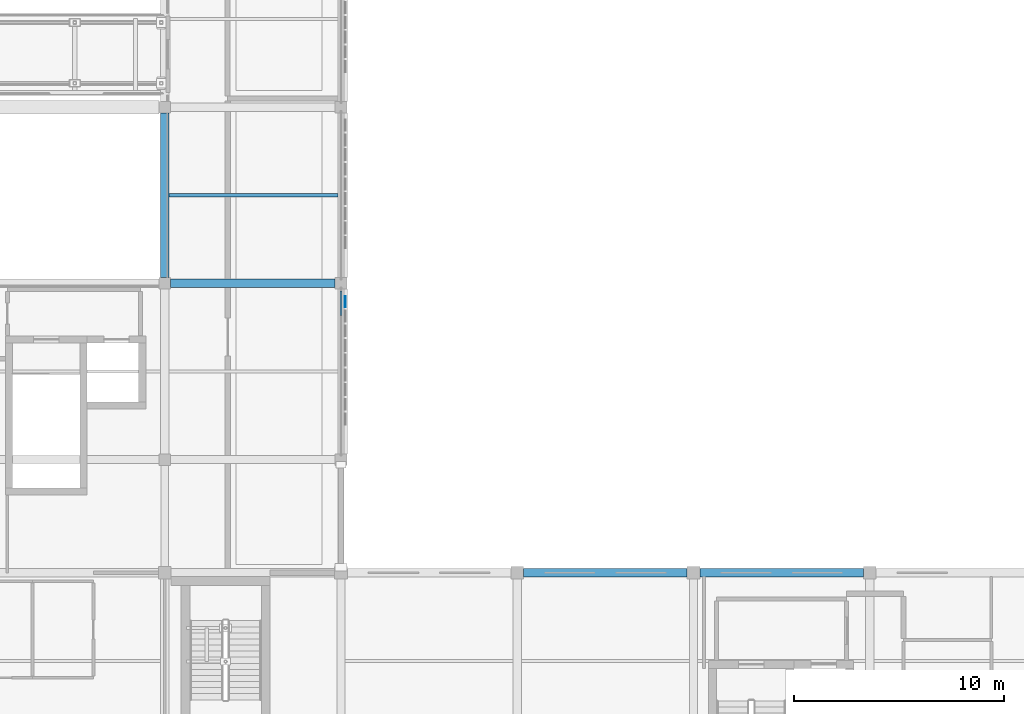
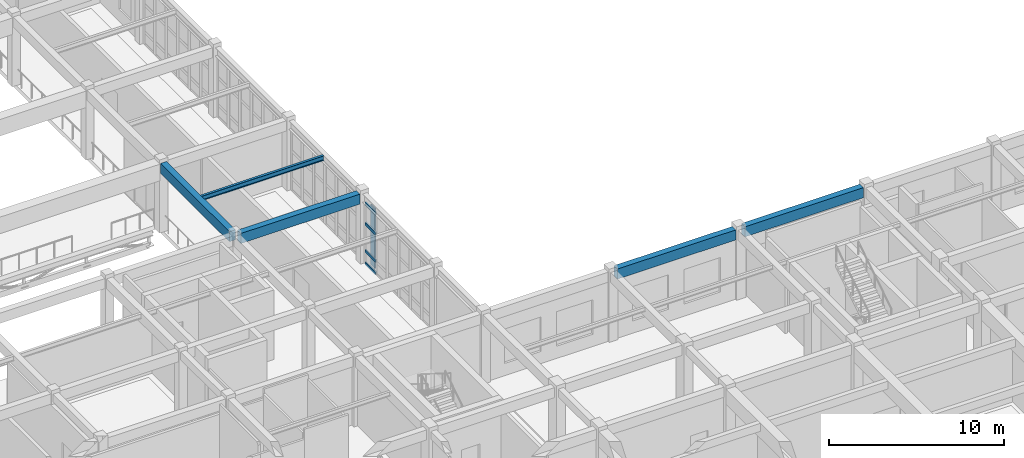
# One storey, part 18 of 77: 5 beams, 5 members, 1 element without a shape of its own.
"""IFC4 building model written with IfcOpenShell, lengths in metres."""

from ifc_helpers import new_model, si_unit, direction, frame, origin, origin_2d, place, context, subcontext, project, spatial, rectangle, hollow_rectangle, i_section, extrude, material, layer, layer_set, material_profile, profile_set, type_object, element, aggregate, save


model = new_model("IFC4")

# Units and contexts
model_context = context("Model", 3, precision=1e-05, world=origin(), true_north=direction((0.0, 1.0)))
body_context = subcontext(model_context, "Body", "Model", "MODEL_VIEW")
ifc_project = project(units=[si_unit("LENGTHUNIT", "METRE"), si_unit("AREAUNIT", "SQUARE_METRE"), si_unit("VOLUMEUNIT", "CUBIC_METRE"), si_unit("PLANEANGLEUNIT", "RADIAN"), si_unit("MASSUNIT", "GRAM", prefix="KILO")], contexts=[model_context])

# Site, building, storey
site_placement = place(None, origin())
site = spatial("IfcSite", under=ifc_project, at=site_placement, CompositionType="ELEMENT")
building_placement = place(site_placement, origin())
building = spatial("IfcBuilding", under=site, at=building_placement, Name="Krzemoval Escarpment Law Courts", CompositionType="ELEMENT")
storey_placement = place(building_placement, frame((0.0, 0.0, 15.300048828125)))
storey = spatial("IfcBuildingStorey", under=building, at=storey_placement, Name="L03", CompositionType="ELEMENT", Elevation=15.300048828125)

# Beams
ifc_material_1 = material(Name="Concrete C40/50", Category="concrete")
ifc_material_profile_1 = material_profile(ifc_material_1, rectangle(XDim=0.39990234375, YDim=0.699951171875, at=origin_2d()), Name="RCB 400x700")
ifc_profile_set_1 = profile_set([ifc_material_profile_1], Name="Concrete C40/50")
beam_type_1 = type_object("IfcBeamType", Name="BM-RC-400x700", PredefinedType="BEAM", material=ifc_profile_set_1)
beam_1_placement = place(storey_placement, frame((50.699951171875, 35.39990234375, 4.489990234375), z_axis=(1.0, 0.0, 0.0), x_axis=(0.0, 1.0, 0.0)))
element("IfcBeam", 1, at=beam_1_placement, inside=storey, type_object=beam_type_1, Name="Beam FG-L03-2139", PredefinedType="BEAM", context=body_context, shape_type="SweptSolid", body=[
    extrude(rectangle(XDim=0.39990234375, YDim=0.699951171875, at=origin_2d()), origin(), (0.0, 0.0, 1.0), 7.800048828125),
])
beam_2_placement = place(storey_placement, frame((59.10009765625, 35.39990234375, 4.489990234375), z_axis=(1.0, 0.0, 0.0), x_axis=(0.0, 1.0, 0.0)))
element("IfcBeam", 2, at=beam_2_placement, inside=storey, type_object=beam_type_1, Name="Beam FG-L03-2140", PredefinedType="BEAM", context=body_context, shape_type="SweptSolid", body=[
    extrude(rectangle(XDim=0.39990234375, YDim=0.699951171875, at=origin_2d()), origin(), (0.0, 0.0, 1.0), 7.7998046875),
])
beam_3_placement = place(storey_placement, frame((33.875, 49.199951171875, 4.489990234375), z_axis=(1.0, 0.0, 0.0), x_axis=(0.0, 1.0, 0.0)))
element("IfcBeam", 3, at=beam_3_placement, inside=storey, type_object=beam_type_1, Name="Beam FG-L03-2156", PredefinedType="BEAM", context=body_context, shape_type="SweptSolid", body=[
    extrude(rectangle(XDim=0.39990234375, YDim=0.699951171875, at=origin_2d()), origin(), (0.0, 0.0, 1.0), 7.85009765625),
])
beam_4_placement = place(storey_placement, frame((33.60009765625, 49.47509765625, 4.489990234375), z_axis=(0.0, 1.0, 0.0), x_axis=(-1.0, 0.0, 0.0)))
element("IfcBeam", 4, at=beam_4_placement, inside=storey, type_object=beam_type_1, Name="Beam FG-L03-2252", PredefinedType="BEAM", context=body_context, shape_type="SweptSolid", body=[
    extrude(rectangle(XDim=0.39990234375, YDim=0.699951171875, at=origin_2d()), origin(), (0.0, 0.0, 1.0), 7.849853515625),
])

# Curtain wall, members
ifc_material_2 = material(Name="Aluminium 6063-T6", Category="aluminium")
ifc_layer = layer(ifc_material_2, 0.280029296875)
ifc_layer_set = layer_set([ifc_layer], Name="Aluminium 6063-T6")
curtain_wall_type = type_object("IfcCurtainWallType", Name="CW-HALL-5100", PredefinedType="USERDEFINED", material=ifc_layer_set)
curtain_wall_placement = place(storey_placement, origin())
curtain_wall = element("IfcCurtainWall", 5, at=curtain_wall_placement, inside=storey, type_object=curtain_wall_type, Name="Unitised Curtain Wall FCW-L03-111", ObjectType="UNITISED_CURTAIN_WALL", PredefinedType="USERDEFINED")
ifc_material_3 = material(Name="Aluminium 6063-T6", Category="aluminium")
ifc_material_profile_2 = material_profile(ifc_material_3, hollow_rectangle(XDim=0.0849609375, YDim=0.2099609375, WallThickness=0.005615234375, at=origin_2d()), Name="ALU T85x210")
ifc_profile_set_2 = profile_set([ifc_material_profile_2], Name="Aluminium 6063-T6")
member_type_1 = type_object("IfcMemberType", Name="CWT-85x210", PredefinedType="USERDEFINED", material=ifc_profile_set_2)
member_1_placement = place(storey_placement, frame((42.0, 48.840087890625, 0.04248046875), z_axis=(0.0, -1.0, 0.0), x_axis=(1.0, 0.0, 0.0)))
member_1 = element("IfcMember", 6, at=member_1_placement, type_object=member_type_1, Name="FCW-L03-111 transom 1.1", ObjectType="TRANSOM", PredefinedType="USERDEFINED", context=body_context, shape_type="SweptSolid", body=[
    extrude(hollow_rectangle(XDim=0.0849609375, YDim=0.2099609375, WallThickness=0.005615234375, at=origin_2d()), origin(), (0.0, 0.0, 1.0), 1.180908203125),
])
member_2_placement = place(storey_placement, frame((42.0, 48.840087890625, 0.89990234375), z_axis=(0.0, -1.0, 0.0), x_axis=(1.0, 0.0, 0.0)))
member_2 = element("IfcMember", 7, at=member_2_placement, type_object=member_type_1, Name="FCW-L03-111 transom 1.2", ObjectType="TRANSOM", PredefinedType="USERDEFINED", context=body_context, shape_type="SweptSolid", body=[
    extrude(hollow_rectangle(XDim=0.0849609375, YDim=0.2099609375, WallThickness=0.005615234375, at=origin_2d()), origin(), (0.0, 0.0, 1.0), 1.180908203125),
])
member_3_placement = place(storey_placement, frame((42.0, 48.840087890625, 2.800048828125), z_axis=(0.0, -1.0, 0.0), x_axis=(1.0, 0.0, 0.0)))
member_3 = element("IfcMember", 8, at=member_3_placement, type_object=member_type_1, Name="FCW-L03-111 transom 1.3", ObjectType="TRANSOM", PredefinedType="USERDEFINED", context=body_context, shape_type="SweptSolid", body=[
    extrude(hollow_rectangle(XDim=0.0849609375, YDim=0.2099609375, WallThickness=0.005615234375, at=origin_2d()), origin(), (0.0, 0.0, 1.0), 1.180908203125),
])
member_4_placement = place(storey_placement, frame((42.0, 48.840087890625, 4.197509765625), z_axis=(0.0, -1.0, 0.0), x_axis=(1.0, 0.0, 0.0)))
member_4 = element("IfcMember", 9, at=member_4_placement, type_object=member_type_1, Name="FCW-L03-111 transom 1.4", ObjectType="TRANSOM", PredefinedType="USERDEFINED", context=body_context, shape_type="SweptSolid", body=[
    extrude(hollow_rectangle(XDim=0.0849609375, YDim=0.2099609375, WallThickness=0.005615234375, at=origin_2d()), origin(), (0.0, 0.0, 1.0), 1.180908203125),
])
aggregate(curtain_wall, [member_1, member_2, member_3, member_4])

# Beam
ifc_material_4 = material(Name="Steel S355", Category="steel")
ifc_material_profile_3 = material_profile(ifc_material_4, i_section(OverallWidth=0.159912109375, OverallDepth=0.330078125, WebThickness=0.007568359375, FlangeThickness=0.011474609375, at=origin_2d()), Name="IPE 330")
ifc_profile_set_3 = profile_set([ifc_material_profile_3], Name="Steel S355")
beam_type_2 = type_object("IfcBeamType", Name="JST-S355-IPE330", PredefinedType="JOIST", material=ifc_profile_set_3)
beam_5_placement = place(storey_placement, frame((33.800048828125, 53.39990234375, 4.675048828125), z_axis=(1.0, 0.0, 0.0), x_axis=(0.0, 1.0, 0.0)))
element("IfcBeam", 10, at=beam_5_placement, inside=storey, type_object=beam_type_2, Name="Secondary Joist FJ-L03-2374", PredefinedType="JOIST", context=body_context, shape_type="SweptSolid", body=[
    extrude(i_section(OverallWidth=0.159912109375, OverallDepth=0.330078125, WebThickness=0.007568359375, FlangeThickness=0.011474609375, at=origin_2d()), origin(), (0.0, 0.0, 1.0), 8.050048828125),
])

# Member
ifc_material_5 = material(Name="Anodised Aluminium Alloy 6063-T6", Category="aluminium")
ifc_material_profile_4 = material_profile(ifc_material_5, hollow_rectangle(XDim=0.06494140625, YDim=0.52001953125, WallThickness=0.00439453125, at=origin_2d()), Name="ALU LVR 65x520")
ifc_profile_set_4 = profile_set([ifc_material_profile_4], Name="Anodised Aluminium Alloy 6063-T6")
member_type_2 = type_object("IfcMemberType", Name="LVR-ALU-520", PredefinedType="USERDEFINED", material=ifc_profile_set_4)
member_5_placement = place(storey_placement, frame((42.199951171875, 48.324951171875, 0.06005859375), z_axis=(0.0, 0.0, 1.0), x_axis=(1.0, 0.0, 0.0)))
element("IfcMember", 11, at=member_5_placement, inside=storey, type_object=member_type_2, Name="Sunshade Louvre Fin FLV-L03-0752", ObjectType="SUNSHADE_LOUVRE", PredefinedType="USERDEFINED", context=body_context, shape_type="SweptSolid", body=[
    extrude(hollow_rectangle(XDim=0.06494140625, YDim=0.52001953125, WallThickness=0.00439453125, at=origin_2d()), origin(), (0.0, 0.0, 1.0), 4.179931640625),
])

save(model, "model.ifc")
